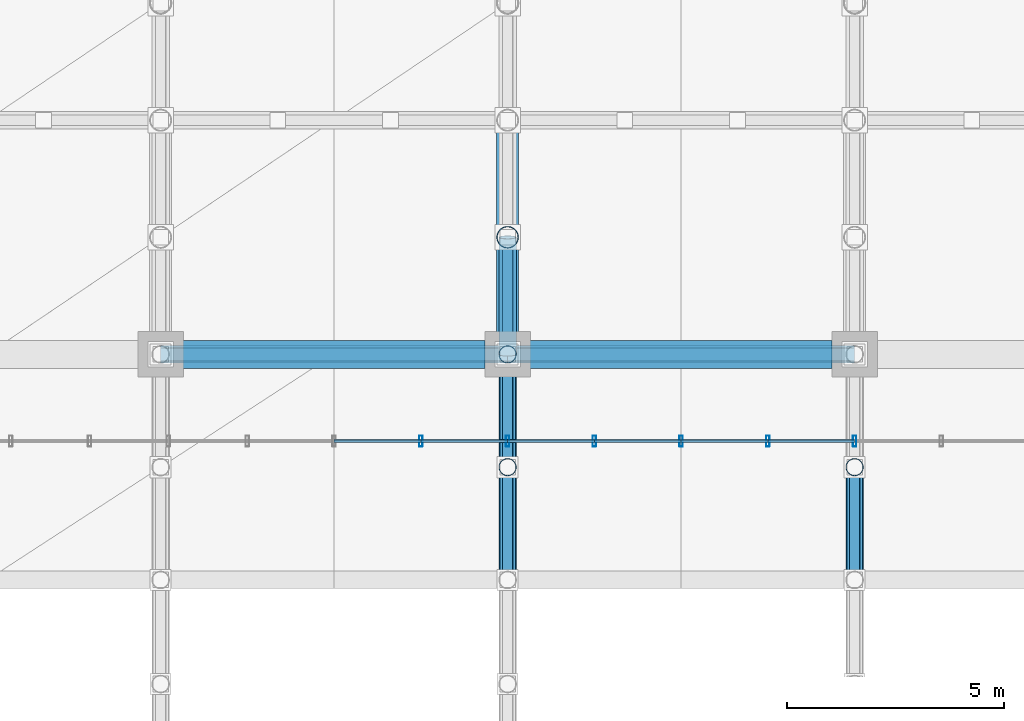
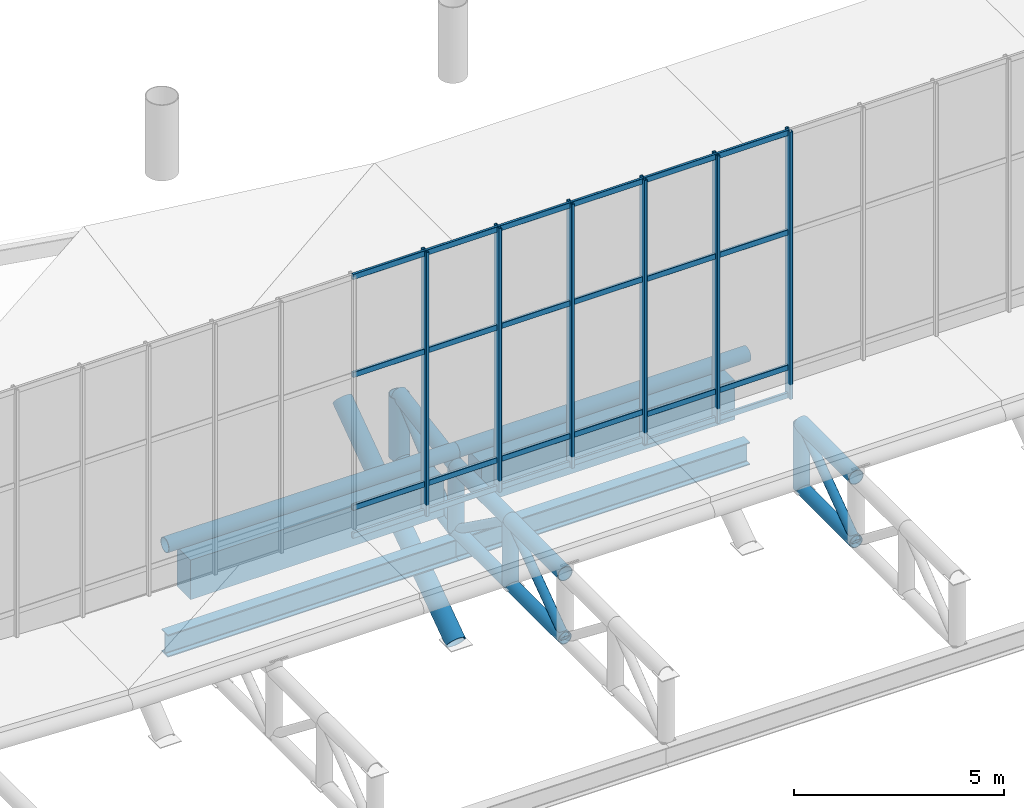
# One storey, part 49 of 137: 49 members, 4 beams, 2 elements without a shape of their own.
"""IFC4 building model written with IfcOpenShell, lengths in metres."""

from ifc_helpers import new_model, si_unit, direction, frame, origin, origin_2d, place, context, subcontext, project, spatial, rectangle, hollow_rectangle, hollow_circle, i_section, extrude, material, layer, layer_set, material_profile, profile_set, type_object, element, aggregate, save


model = new_model("IFC4")

# Units and contexts
model_context = context("Model", 3, precision=1e-05, world=origin(), true_north=direction((0.0, 1.0)))
body_context = subcontext(model_context, "Body", "Model", "MODEL_VIEW")
ifc_project = project(units=[si_unit("LENGTHUNIT", "METRE"), si_unit("AREAUNIT", "SQUARE_METRE"), si_unit("VOLUMEUNIT", "CUBIC_METRE"), si_unit("PLANEANGLEUNIT", "RADIAN"), si_unit("MASSUNIT", "GRAM", prefix="KILO")], contexts=[model_context])

# Site, building, storey
site_placement = place(None, origin())
site = spatial("IfcSite", under=ifc_project, at=site_placement, CompositionType="ELEMENT")
building_placement = place(site_placement, origin())
building = spatial("IfcBuilding", under=site, at=building_placement, Name="Khorjan Park Terminus", CompositionType="ELEMENT")
storey_placement = place(building_placement, frame((0.0, 0.0, 11.4)))
storey = spatial("IfcBuildingStorey", under=building, at=storey_placement, Name="L02", CompositionType="ELEMENT", Elevation=11.4)

# Members
ifc_material_1 = material(Name="Steel S355", Category="steel")
ifc_material_profile_1 = material_profile(ifc_material_1, hollow_circle(Radius=0.1222, WallThickness=0.0125, at=origin_2d()), Name="CHS 244.5x12.5")
ifc_profile_set_1 = profile_set([ifc_material_profile_1], Name="Steel S355")
member_type_1 = type_object("IfcMemberType", Name="MB-BR-245", PredefinedType="BRACE", material=ifc_profile_set_1)
for number, where, z_axis, x_axis, name in (
    (1, (80.0, 82.8, -1.92), (0.0, 0.811830357573, 0.583893372562), (-1.0, 0.0, 0.0), "Lower shell cantilever truss diagonal (5N)"),
    (2, (80.0, 85.4, -0.05), (0.0, 0.811830357573, -0.583893372562), (-1.0, 0.0, 0.0), "Lower shell cantilever truss diagonal (5N)"),
    (3, (88.0, 82.8, -1.92), (0.0, 0.811830357573, 0.583893372562), (-1.0, 0.0, 0.0), "Lower shell cantilever truss diagonal (6N)"),
):
    element("IfcMember", number, at=place(storey_placement, frame(where, z_axis=z_axis, x_axis=x_axis)), inside=storey, type_object=member_type_1, Name=name, PredefinedType="BRACE", context=body_context, shape_type="SweptSolid", body=[
        extrude(hollow_circle(Radius=0.1222, WallThickness=0.0125, at=origin_2d()), origin(), (0.0, 0.0, 1.0), 3.2026),
    ])
ifc_material_profile_2 = material_profile(ifc_material_1, hollow_circle(Radius=0.1222, WallThickness=0.0125, at=origin_2d()), Name="CHS 244.5x12.5")
ifc_profile_set_2 = profile_set([ifc_material_profile_2], Name="Steel S355")
member_type_2 = type_object("IfcMemberType", Name="MB-BRE-245", PredefinedType="BRACE", material=ifc_profile_set_2)
member_1_placement = place(storey_placement, frame((80.0, 88.0, -1.92), z_axis=(0.0, 0.759574242279, 0.650420610426), x_axis=(-1.0, 0.0, 0.0)))
element("IfcMember", 4, at=member_1_placement, inside=storey, type_object=member_type_2, Name="Lower shell cantilever truss diagonal (5N)", PredefinedType="BRACE", context=body_context, shape_type="SweptSolid", body=[
    extrude(hollow_circle(Radius=0.1222, WallThickness=0.0125, at=origin_2d()), origin(), (0.0, 0.0, 1.0), 3.5546),
])
ifc_material_profile_3 = material_profile(ifc_material_1, hollow_circle(Radius=0.1778, WallThickness=0.016, at=origin_2d()), Name="CHS 355.6x16")
ifc_profile_set_3 = profile_set([ifc_material_profile_3], Name="Steel S355")
member_type_3 = type_object("IfcMemberType", Name="MB-CH-356", PredefinedType="CHORD", material=ifc_profile_set_3)
for number, where, z_axis, x_axis, name in (
    (5, (80.0, 82.8, -1.92), (0.0, 1.0, 0.0), (-1.0, 0.0, 0.0), "Lower shell cantilever truss bottom chord (5N)"),
    (6, (80.0, 85.4, -1.92), (0.0, 1.0, 0.0), (-1.0, 0.0, 0.0), "Lower shell cantilever truss bottom chord (5N)"),
    (7, (88.0, 82.8, -1.92), (0.0, 1.0, 0.0), (-1.0, 0.0, 0.0), "Lower shell cantilever truss bottom chord (6N)"),
):
    element("IfcMember", number, at=place(storey_placement, frame(where, z_axis=z_axis, x_axis=x_axis)), inside=storey, type_object=member_type_3, Name=name, PredefinedType="CHORD", context=body_context, shape_type="SweptSolid", body=[
        extrude(hollow_circle(Radius=0.1778, WallThickness=0.016, at=origin_2d()), origin(), (0.0, 0.0, 1.0), 2.6),
    ])
ifc_material_profile_4 = material_profile(ifc_material_1, hollow_circle(Radius=0.2032, WallThickness=0.016, at=origin_2d()), Name="CHS 406.4x16")
ifc_profile_set_4 = profile_set([ifc_material_profile_4], Name="Steel S355")
member_type_4 = type_object("IfcMemberType", Name="MB-CH-406", PredefinedType="CHORD", material=ifc_profile_set_4)
for number, where, z_axis, x_axis, name in (
    (8, (80.0, 82.8, -0.05), (0.0, 1.0, 0.0), (-1.0, 0.0, 0.0), "Lower shell cantilever truss top chord (5N)"),
    (9, (80.0, 85.4, -0.05), (0.0, 1.0, 0.0), (-1.0, 0.0, 0.0), "Lower shell cantilever truss top chord (5N)"),
    (10, (88.0, 82.8, -0.05), (0.0, 1.0, 0.0), (-1.0, 0.0, 0.0), "Lower shell cantilever truss top chord (6N)"),
):
    element("IfcMember", number, at=place(storey_placement, frame(where, z_axis=z_axis, x_axis=x_axis)), inside=storey, type_object=member_type_4, Name=name, PredefinedType="CHORD", context=body_context, shape_type="SweptSolid", body=[
        extrude(hollow_circle(Radius=0.2032, WallThickness=0.016, at=origin_2d()), origin(), (0.0, 0.0, 1.0), 2.6),
    ])
ifc_material_profile_5 = material_profile(ifc_material_1, hollow_circle(Radius=0.2032, WallThickness=0.016, at=origin_2d()), Name="CHS 406.4x16")
ifc_profile_set_5 = profile_set([ifc_material_profile_5], Name="Steel S355")
member_type_5 = type_object("IfcMemberType", Name="MB-CHE-406", PredefinedType="CHORD", material=ifc_profile_set_5)
member_2_placement = place(storey_placement, frame((72.0, 88.0, 0.4308), z_axis=(0.999988238957, 0.0, -0.004849942959), x_axis=(0.0, 1.0, 0.0)))
element("IfcMember", 11, at=member_2_placement, inside=storey, type_object=member_type_5, Name="Lower wrapping shell rim chord (110)", PredefinedType="CHORD", context=body_context, shape_type="SweptSolid", body=[
    extrude(hollow_circle(Radius=0.2032, WallThickness=0.016, at=origin_2d()), origin(), (0.0, 0.0, 1.0), 8.0001),
])
member_3_placement = place(storey_placement, frame((80.0, 88.0, 0.392), z_axis=(1.0, 0.0, 0.0), x_axis=(0.0, 1.0, 0.0)))
element("IfcMember", 12, at=member_3_placement, inside=storey, type_object=member_type_5, Name="Lower wrapping shell rim chord (111)", PredefinedType="CHORD", context=body_context, shape_type="SweptSolid", body=[
    extrude(hollow_circle(Radius=0.2032, WallThickness=0.016, at=origin_2d()), origin(), (0.0, 0.0, 1.0), 8.0),
])
member_4_placement = place(storey_placement, frame((80.0, 88.0, -0.05), z_axis=(0.0, 0.986863989833, 0.161553290188), x_axis=(-1.0, 0.0, 0.0)))
element("IfcMember", 13, at=member_4_placement, inside=storey, type_object=member_type_5, Name="Lower shell cantilever truss top chord (5N)", PredefinedType="CHORD", context=body_context, shape_type="SweptSolid", body=[
    extrude(hollow_circle(Radius=0.2032, WallThickness=0.016, at=origin_2d()), origin(), (0.0, 0.0, 1.0), 2.7359),
])
member_5_placement = place(storey_placement, frame((80.0, 88.0, -1.92), z_axis=(0.0, 0.98249111826, 0.18630942687), x_axis=(-1.0, 0.0, 0.0)))
element("IfcMember", 14, at=member_5_placement, inside=storey, type_object=member_type_5, Name="Lower shell cantilever truss bottom chord (5N)", PredefinedType="CHORD", context=body_context, shape_type="SweptSolid", body=[
    extrude(hollow_circle(Radius=0.2032, WallThickness=0.016, at=origin_2d()), origin(), (0.0, 0.0, 1.0), 2.7481),
])
ifc_material_profile_6 = material_profile(ifc_material_1, hollow_circle(Radius=0.2032, WallThickness=0.016, at=origin_2d()), Name="CHS 406.4x16")
ifc_profile_set_6 = profile_set([ifc_material_profile_6], Name="Steel S355")
member_type_6 = type_object("IfcMemberType", Name="MB-ST-406", PredefinedType="STRUT", material=ifc_profile_set_6)
for number, where, z_axis, x_axis, name in (
    (15, (80.0, 85.4, -1.92), (0.0, 0.0, 1.0), (1.0, 0.0, 0.0), "Lower shell cantilever truss post (5N)"),
    (16, (80.0, 88.0, -1.92), (0.0, 0.0, 1.0), (1.0, 0.0, 0.0), "Lower shell cantilever truss post (5N)"),
    (17, (88.0, 85.4, -1.92), (0.0, 0.0, 1.0), (1.0, 0.0, 0.0), "Lower shell cantilever truss post (6N)"),
):
    element("IfcMember", number, at=place(storey_placement, frame(where, z_axis=z_axis, x_axis=x_axis)), inside=storey, type_object=member_type_6, Name=name, PredefinedType="STRUT", context=body_context, shape_type="SweptSolid", body=[
        extrude(hollow_circle(Radius=0.2032, WallThickness=0.016, at=origin_2d()), origin(), (0.0, 0.0, 1.0), 1.87),
    ])
ifc_material_profile_7 = material_profile(ifc_material_1, hollow_circle(Radius=0.254, WallThickness=0.02, at=origin_2d()), Name="CHS 508x20")
ifc_profile_set_7 = profile_set([ifc_material_profile_7], Name="Steel S355")
member_type_7 = type_object("IfcMemberType", Name="MB-STE-508", PredefinedType="STRUT", material=ifc_profile_set_7)
member_6_placement = place(storey_placement, frame((80.0, 90.7, -1.408), z_axis=(0.0, 0.0, 1.0), x_axis=(1.0, 0.0, 0.0)))
element("IfcMember", 18, at=member_6_placement, inside=storey, type_object=member_type_7, Name="Lower shell cantilever truss post (5N)", PredefinedType="STRUT", context=body_context, shape_type="SweptSolid", body=[
    extrude(hollow_circle(Radius=0.254, WallThickness=0.02, at=origin_2d()), origin(), (0.0, 0.0, 1.0), 1.8),
])
member_7_placement = place(storey_placement, frame((80.0, 88.0, -5.2), z_axis=(0.0, 0.818376628533, 0.574682254703), x_axis=(-1.0, 0.0, 0.0)))
element("IfcMember", 19, at=member_7_placement, inside=storey, type_object=member_type_7, Name="Lower shell raked overhang V-strut STE-51 (5N)", PredefinedType="STRUT", context=body_context, shape_type="SweptSolid", body=[
    extrude(hollow_circle(Radius=0.254, WallThickness=0.02, at=origin_2d()), origin(), (0.0, 0.0, 1.0), 6.5984),
])

# Curtain wall, members
ifc_material_2 = material(Name="Anodized Bronze Aluminium", Category="aluminium")
ifc_layer = layer(ifc_material_2, 0.22)
ifc_layer_set = layer_set([ifc_layer], Name="Anodized Bronze Aluminium")
curtain_wall_type = type_object("IfcCurtainWallType", Name="CW-CONC-CLR", PredefinedType="NOTDEFINED", material=ifc_layer_set)
curtain_wall_1_placement = place(storey_placement, origin())
curtain_wall_1 = element("IfcCurtainWall", 20, at=curtain_wall_1_placement, inside=storey, type_object=curtain_wall_type, Name="Unitized curtain wall CW-CL (CW-V2-N-CLR-03)", PredefinedType="NOTDEFINED")
ifc_material_profile_8 = material_profile(ifc_material_2, hollow_rectangle(XDim=0.08, YDim=0.25, WallThickness=0.005, InnerFilletRadius=0.005, OuterFilletRadius=0.01, at=origin_2d()), Name="ALM 80x250x5")
ifc_profile_set_8 = profile_set([ifc_material_profile_8], Name="Anodized Bronze Aluminium")
member_type_8 = type_object("IfcMemberType", Name="ML-ALM-250", PredefinedType="MULLION", material=ifc_profile_set_8)
member_8_placement = place(storey_placement, frame((84.0, 86.0, 0.45), z_axis=(0.0, 0.0, 1.0), x_axis=(-1.0, 0.0, 0.0)))
member_8 = element("IfcMember", 21, at=member_8_placement, type_object=member_type_8, Name="Curtain-wall mullion ML-25 (CW-V2-N-CLR-03-0)", PredefinedType="MULLION", context=body_context, shape_type="SweptSolid", body=[
    extrude(hollow_rectangle(XDim=0.08, YDim=0.25, WallThickness=0.005, InnerFilletRadius=0.005, OuterFilletRadius=0.01, at=origin_2d()), origin(), (0.0, 0.0, 1.0), 7.6669),
])
member_9_placement = place(storey_placement, frame((82.0, 86.0, 0.45), z_axis=(0.0, 0.0, 1.0), x_axis=(-1.0, 0.0, 0.0)))
member_9 = element("IfcMember", 22, at=member_9_placement, type_object=member_type_8, Name="Curtain-wall mullion ML-25 (CW-V2-N-CLR-03-1)", PredefinedType="MULLION", context=body_context, shape_type="SweptSolid", body=[
    extrude(hollow_rectangle(XDim=0.08, YDim=0.25, WallThickness=0.005, InnerFilletRadius=0.005, OuterFilletRadius=0.01, at=origin_2d()), origin(), (0.0, 0.0, 1.0), 7.6669),
])
member_10_placement = place(storey_placement, frame((80.0, 86.0, 0.45), z_axis=(0.0, 0.0, 1.0), x_axis=(-1.0, 0.0, 0.0)))
member_10 = element("IfcMember", 23, at=member_10_placement, type_object=member_type_8, Name="Curtain-wall mullion ML-25 (CW-V2-N-CLR-03-2)", PredefinedType="MULLION", context=body_context, shape_type="SweptSolid", body=[
    extrude(hollow_rectangle(XDim=0.08, YDim=0.25, WallThickness=0.005, InnerFilletRadius=0.005, OuterFilletRadius=0.01, at=origin_2d()), origin(), (0.0, 0.0, 1.0), 7.6669),
])
member_11_placement = place(storey_placement, frame((78.0, 86.0, 0.45), z_axis=(0.0, 0.0, 1.0), x_axis=(-1.0, 0.0, 0.0)))
member_11 = element("IfcMember", 24, at=member_11_placement, type_object=member_type_8, Name="Curtain-wall mullion ML-25 (CW-V2-N-CLR-03-3)", PredefinedType="MULLION", context=body_context, shape_type="SweptSolid", body=[
    extrude(hollow_rectangle(XDim=0.08, YDim=0.25, WallThickness=0.005, InnerFilletRadius=0.005, OuterFilletRadius=0.01, at=origin_2d()), origin(), (0.0, 0.0, 1.0), 7.6669),
])

curtain_wall_2_placement = place(storey_placement, origin())
curtain_wall_2 = element("IfcCurtainWall", 25, at=curtain_wall_2_placement, inside=storey, type_object=curtain_wall_type, Name="Unitized curtain wall CW-CL (CW-V2-N-CLR-04)", PredefinedType="NOTDEFINED")
member_12_placement = place(storey_placement, frame((88.0, 86.0, 0.345), z_axis=(0.0, 0.0, 1.0), x_axis=(-1.0, 0.0, 0.0)))
member_12 = element("IfcMember", 26, at=member_12_placement, type_object=member_type_8, Name="Curtain-wall mullion ML-25 (CW-V2-N-CLR-04-2)", PredefinedType="MULLION", context=body_context, shape_type="SweptSolid", body=[
    extrude(hollow_rectangle(XDim=0.08, YDim=0.25, WallThickness=0.005, InnerFilletRadius=0.005, OuterFilletRadius=0.01, at=origin_2d()), origin(), (0.0, 0.0, 1.0), 7.7782),
])
member_13_placement = place(storey_placement, frame((86.0, 86.0, 0.345), z_axis=(0.0, 0.0, 1.0), x_axis=(-1.0, 0.0, 0.0)))
member_13 = element("IfcMember", 27, at=member_13_placement, type_object=member_type_8, Name="Curtain-wall mullion ML-25 (CW-V2-N-CLR-04-3)", PredefinedType="MULLION", context=body_context, shape_type="SweptSolid", body=[
    extrude(hollow_rectangle(XDim=0.08, YDim=0.25, WallThickness=0.005, InnerFilletRadius=0.005, OuterFilletRadius=0.01, at=origin_2d()), origin(), (0.0, 0.0, 1.0), 7.7782),
])

# Beams
ifc_material_profile_9 = material_profile(ifc_material_1, i_section(OverallWidth=0.3, OverallDepth=0.65, WebThickness=0.016, FlangeThickness=0.031, FilletRadius=0.027, at=origin_2d()), Name="HEB 650")
ifc_profile_set_9 = profile_set([ifc_material_profile_9], Name="Steel S355")
beam_type_1 = type_object("IfcBeamType", Name="SP-HEB650E", PredefinedType="SPANDREL", material=ifc_profile_set_9)
for number, where, z_axis, x_axis, name in (
    (28, (72.0, 88.0, -2.425), (1.0, 0.0, 0.0), (0.0, 1.0, 0.0), "Lower shell truss support girder SP-E65 (X15)"),
    (29, (80.0, 88.0, -2.425), (1.0, 0.0, 0.0), (0.0, 1.0, 0.0), "Lower shell truss support girder SP-E65 (X16)"),
):
    element("IfcBeam", number, at=place(storey_placement, frame(where, z_axis=z_axis, x_axis=x_axis)), inside=storey, type_object=beam_type_1, Name=name, PredefinedType="SPANDREL", context=body_context, shape_type="SweptSolid", body=[
        extrude(i_section(OverallWidth=0.3, OverallDepth=0.65, WebThickness=0.016, FlangeThickness=0.031, FilletRadius=0.027, at=origin_2d()), origin(), (0.0, 0.0, 1.0), 8.0),
    ])
ifc_material_3 = material(Name="Concrete C50/60", Category="concrete")
ifc_material_profile_10 = material_profile(ifc_material_3, rectangle(XDim=0.65, YDim=1.15, at=origin_2d()), Name="RC 650x1150")
ifc_profile_set_10 = profile_set([ifc_material_profile_10], Name="Concrete C50/60")
beam_type_2 = type_object("IfcBeamType", Name="SP-RC650x1150", PredefinedType="SPANDREL", material=ifc_profile_set_10)
for number, where, z_axis, x_axis, name in (
    (30, (72.52, 88.0, -0.575), (1.0, 0.0, 0.0), (0.0, 1.0, 0.0), "Concourse lower colonnade ring beam SP-11 (L02-44)"),
    (31, (80.52, 88.0, -0.575), (1.0, 0.0, 0.0), (0.0, 1.0, 0.0), "Concourse lower colonnade ring beam SP-11 (L02-46)"),
):
    element("IfcBeam", number, at=place(storey_placement, frame(where, z_axis=z_axis, x_axis=x_axis)), inside=storey, type_object=beam_type_2, Name=name, PredefinedType="SPANDREL", context=body_context, shape_type="SweptSolid", body=[
        extrude(rectangle(XDim=0.65, YDim=1.15, at=origin_2d()), origin(), (0.0, 0.0, 1.0), 6.96),
    ])

# Member
ifc_material_profile_11 = material_profile(ifc_material_2, hollow_rectangle(XDim=0.07, YDim=0.16, WallThickness=0.004, InnerFilletRadius=0.004, OuterFilletRadius=0.008, at=origin_2d()), Name="ALT 70x160x4")
ifc_profile_set_11 = profile_set([ifc_material_profile_11], Name="Anodized Bronze Aluminium")
member_type_9 = type_object("IfcMemberType", Name="TR-ALT-160", PredefinedType="USERDEFINED", material=ifc_profile_set_11)
member_14_placement = place(storey_placement, frame((84.0, 86.0, 0.525), z_axis=(-1.0, 0.0, 0.0), x_axis=(0.0, -1.0, 0.0)))
member_14 = element("IfcMember", 32, at=member_14_placement, type_object=member_type_9, Name="Curtain-wall transom TR-16 (CW-V2-N-CLR-03-0-1)", ObjectType="TRANSOM", PredefinedType="USERDEFINED", context=body_context, shape_type="SweptSolid", body=[
    extrude(hollow_rectangle(XDim=0.07, YDim=0.16, WallThickness=0.004, InnerFilletRadius=0.004, OuterFilletRadius=0.008, at=origin_2d()), origin(), (0.0, 0.0, 1.0), 2.0),
])

member_15_placement = place(storey_placement, frame((84.0, 86.0, 1.335), z_axis=(-1.0, 0.0, 0.0), x_axis=(0.0, -1.0, 0.0)))
member_15 = element("IfcMember", 33, at=member_15_placement, type_object=member_type_9, Name="Curtain-wall transom TR-16 (CW-V2-N-CLR-03-0-2)", ObjectType="TRANSOM", PredefinedType="USERDEFINED", context=body_context, shape_type="SweptSolid", body=[
    extrude(hollow_rectangle(XDim=0.07, YDim=0.16, WallThickness=0.004, InnerFilletRadius=0.004, OuterFilletRadius=0.008, at=origin_2d()), origin(), (0.0, 0.0, 1.0), 2.0),
])

member_16_placement = place(storey_placement, frame((84.0, 86.0, 5.1951), z_axis=(-1.0, 0.0, 0.0), x_axis=(0.0, -1.0, 0.0)))
member_16 = element("IfcMember", 34, at=member_16_placement, type_object=member_type_9, Name="Curtain-wall transom TR-16 (CW-V2-N-CLR-03-0-3)", ObjectType="TRANSOM", PredefinedType="USERDEFINED", context=body_context, shape_type="SweptSolid", body=[
    extrude(hollow_rectangle(XDim=0.07, YDim=0.16, WallThickness=0.004, InnerFilletRadius=0.004, OuterFilletRadius=0.008, at=origin_2d()), origin(), (0.0, 0.0, 1.0), 2.0),
])

member_17_placement = place(storey_placement, frame((84.0, 86.0, 8.0419), z_axis=(-1.0, 0.0, 0.0), x_axis=(0.0, -1.0, 0.0)))
member_17 = element("IfcMember", 35, at=member_17_placement, type_object=member_type_9, Name="Curtain-wall transom TR-16 (CW-V2-N-CLR-03-0-4)", ObjectType="TRANSOM", PredefinedType="USERDEFINED", context=body_context, shape_type="SweptSolid", body=[
    extrude(hollow_rectangle(XDim=0.07, YDim=0.16, WallThickness=0.004, InnerFilletRadius=0.004, OuterFilletRadius=0.008, at=origin_2d()), origin(), (0.0, 0.0, 1.0), 2.0),
])

member_18_placement = place(storey_placement, frame((82.0, 86.0, 0.525), z_axis=(-1.0, 0.0, 0.0), x_axis=(0.0, -1.0, 0.0)))
member_18 = element("IfcMember", 36, at=member_18_placement, type_object=member_type_9, Name="Curtain-wall transom TR-16 (CW-V2-N-CLR-03-1-1)", ObjectType="TRANSOM", PredefinedType="USERDEFINED", context=body_context, shape_type="SweptSolid", body=[
    extrude(hollow_rectangle(XDim=0.07, YDim=0.16, WallThickness=0.004, InnerFilletRadius=0.004, OuterFilletRadius=0.008, at=origin_2d()), origin(), (0.0, 0.0, 1.0), 2.0),
])

member_19_placement = place(storey_placement, frame((82.0, 86.0, 1.335), z_axis=(-1.0, 0.0, 0.0), x_axis=(0.0, -1.0, 0.0)))
member_19 = element("IfcMember", 37, at=member_19_placement, type_object=member_type_9, Name="Curtain-wall transom TR-16 (CW-V2-N-CLR-03-1-2)", ObjectType="TRANSOM", PredefinedType="USERDEFINED", context=body_context, shape_type="SweptSolid", body=[
    extrude(hollow_rectangle(XDim=0.07, YDim=0.16, WallThickness=0.004, InnerFilletRadius=0.004, OuterFilletRadius=0.008, at=origin_2d()), origin(), (0.0, 0.0, 1.0), 2.0),
])

member_20_placement = place(storey_placement, frame((82.0, 86.0, 5.1951), z_axis=(-1.0, 0.0, 0.0), x_axis=(0.0, -1.0, 0.0)))
member_20 = element("IfcMember", 38, at=member_20_placement, type_object=member_type_9, Name="Curtain-wall transom TR-16 (CW-V2-N-CLR-03-1-3)", ObjectType="TRANSOM", PredefinedType="USERDEFINED", context=body_context, shape_type="SweptSolid", body=[
    extrude(hollow_rectangle(XDim=0.07, YDim=0.16, WallThickness=0.004, InnerFilletRadius=0.004, OuterFilletRadius=0.008, at=origin_2d()), origin(), (0.0, 0.0, 1.0), 2.0),
])

member_21_placement = place(storey_placement, frame((82.0, 86.0, 8.0419), z_axis=(-1.0, 0.0, 0.0), x_axis=(0.0, -1.0, 0.0)))
member_21 = element("IfcMember", 39, at=member_21_placement, type_object=member_type_9, Name="Curtain-wall transom TR-16 (CW-V2-N-CLR-03-1-4)", ObjectType="TRANSOM", PredefinedType="USERDEFINED", context=body_context, shape_type="SweptSolid", body=[
    extrude(hollow_rectangle(XDim=0.07, YDim=0.16, WallThickness=0.004, InnerFilletRadius=0.004, OuterFilletRadius=0.008, at=origin_2d()), origin(), (0.0, 0.0, 1.0), 2.0),
])

member_22_placement = place(storey_placement, frame((80.0, 86.0, 0.525), z_axis=(-1.0, 0.0, 0.0), x_axis=(0.0, -1.0, 0.0)))
member_22 = element("IfcMember", 40, at=member_22_placement, type_object=member_type_9, Name="Curtain-wall transom TR-16 (CW-V2-N-CLR-03-2-1)", ObjectType="TRANSOM", PredefinedType="USERDEFINED", context=body_context, shape_type="SweptSolid", body=[
    extrude(hollow_rectangle(XDim=0.07, YDim=0.16, WallThickness=0.004, InnerFilletRadius=0.004, OuterFilletRadius=0.008, at=origin_2d()), origin(), (0.0, 0.0, 1.0), 2.0),
])

member_23_placement = place(storey_placement, frame((80.0, 86.0, 1.335), z_axis=(-1.0, 0.0, 0.0), x_axis=(0.0, -1.0, 0.0)))
member_23 = element("IfcMember", 41, at=member_23_placement, type_object=member_type_9, Name="Curtain-wall transom TR-16 (CW-V2-N-CLR-03-2-2)", ObjectType="TRANSOM", PredefinedType="USERDEFINED", context=body_context, shape_type="SweptSolid", body=[
    extrude(hollow_rectangle(XDim=0.07, YDim=0.16, WallThickness=0.004, InnerFilletRadius=0.004, OuterFilletRadius=0.008, at=origin_2d()), origin(), (0.0, 0.0, 1.0), 2.0),
])

member_24_placement = place(storey_placement, frame((80.0, 86.0, 5.1951), z_axis=(-1.0, 0.0, 0.0), x_axis=(0.0, -1.0, 0.0)))
member_24 = element("IfcMember", 42, at=member_24_placement, type_object=member_type_9, Name="Curtain-wall transom TR-16 (CW-V2-N-CLR-03-2-3)", ObjectType="TRANSOM", PredefinedType="USERDEFINED", context=body_context, shape_type="SweptSolid", body=[
    extrude(hollow_rectangle(XDim=0.07, YDim=0.16, WallThickness=0.004, InnerFilletRadius=0.004, OuterFilletRadius=0.008, at=origin_2d()), origin(), (0.0, 0.0, 1.0), 2.0),
])

member_25_placement = place(storey_placement, frame((80.0, 86.0, 8.0419), z_axis=(-1.0, 0.0, 0.0), x_axis=(0.0, -1.0, 0.0)))
member_25 = element("IfcMember", 43, at=member_25_placement, type_object=member_type_9, Name="Curtain-wall transom TR-16 (CW-V2-N-CLR-03-2-4)", ObjectType="TRANSOM", PredefinedType="USERDEFINED", context=body_context, shape_type="SweptSolid", body=[
    extrude(hollow_rectangle(XDim=0.07, YDim=0.16, WallThickness=0.004, InnerFilletRadius=0.004, OuterFilletRadius=0.008, at=origin_2d()), origin(), (0.0, 0.0, 1.0), 2.0),
])

member_26_placement = place(storey_placement, frame((78.0, 86.0, 0.525), z_axis=(-1.0, 0.0, 0.0), x_axis=(0.0, -1.0, 0.0)))
member_26 = element("IfcMember", 44, at=member_26_placement, type_object=member_type_9, Name="Curtain-wall transom TR-16 (CW-V2-N-CLR-03-3-1)", ObjectType="TRANSOM", PredefinedType="USERDEFINED", context=body_context, shape_type="SweptSolid", body=[
    extrude(hollow_rectangle(XDim=0.07, YDim=0.16, WallThickness=0.004, InnerFilletRadius=0.004, OuterFilletRadius=0.008, at=origin_2d()), origin(), (0.0, 0.0, 1.0), 2.0),
])

member_27_placement = place(storey_placement, frame((78.0, 86.0, 1.335), z_axis=(-1.0, 0.0, 0.0), x_axis=(0.0, -1.0, 0.0)))
member_27 = element("IfcMember", 45, at=member_27_placement, type_object=member_type_9, Name="Curtain-wall transom TR-16 (CW-V2-N-CLR-03-3-2)", ObjectType="TRANSOM", PredefinedType="USERDEFINED", context=body_context, shape_type="SweptSolid", body=[
    extrude(hollow_rectangle(XDim=0.07, YDim=0.16, WallThickness=0.004, InnerFilletRadius=0.004, OuterFilletRadius=0.008, at=origin_2d()), origin(), (0.0, 0.0, 1.0), 2.0),
])

member_28_placement = place(storey_placement, frame((78.0, 86.0, 5.1951), z_axis=(-1.0, 0.0, 0.0), x_axis=(0.0, -1.0, 0.0)))
member_28 = element("IfcMember", 46, at=member_28_placement, type_object=member_type_9, Name="Curtain-wall transom TR-16 (CW-V2-N-CLR-03-3-3)", ObjectType="TRANSOM", PredefinedType="USERDEFINED", context=body_context, shape_type="SweptSolid", body=[
    extrude(hollow_rectangle(XDim=0.07, YDim=0.16, WallThickness=0.004, InnerFilletRadius=0.004, OuterFilletRadius=0.008, at=origin_2d()), origin(), (0.0, 0.0, 1.0), 2.0),
])

member_29_placement = place(storey_placement, frame((78.0, 86.0, 8.0419), z_axis=(-1.0, 0.0, 0.0), x_axis=(0.0, -1.0, 0.0)))
member_29 = element("IfcMember", 47, at=member_29_placement, type_object=member_type_9, Name="Curtain-wall transom TR-16 (CW-V2-N-CLR-03-3-4)", ObjectType="TRANSOM", PredefinedType="USERDEFINED", context=body_context, shape_type="SweptSolid", body=[
    extrude(hollow_rectangle(XDim=0.07, YDim=0.16, WallThickness=0.004, InnerFilletRadius=0.004, OuterFilletRadius=0.008, at=origin_2d()), origin(), (0.0, 0.0, 1.0), 2.0),
])

aggregate(curtain_wall_1, [member_8, member_9, member_10, member_11, member_14, member_15, member_16, member_17, member_18, member_19, member_20, member_21, member_22, member_23, member_24, member_25, member_26, member_27, member_28, member_29])

member_30_placement = place(storey_placement, frame((88.0, 86.0, 0.42), z_axis=(-1.0, 0.0, 0.0), x_axis=(0.0, -1.0, 0.0)))
member_30 = element("IfcMember", 48, at=member_30_placement, type_object=member_type_9, Name="Curtain-wall transom TR-16 (CW-V2-N-CLR-04-2-1)", ObjectType="TRANSOM", PredefinedType="USERDEFINED", context=body_context, shape_type="SweptSolid", body=[
    extrude(hollow_rectangle(XDim=0.07, YDim=0.16, WallThickness=0.004, InnerFilletRadius=0.004, OuterFilletRadius=0.008, at=origin_2d()), origin(), (0.0, 0.0, 1.0), 2.0),
])

member_31_placement = place(storey_placement, frame((88.0, 86.0, 1.23), z_axis=(-1.0, 0.0, 0.0), x_axis=(0.0, -1.0, 0.0)))
member_31 = element("IfcMember", 49, at=member_31_placement, type_object=member_type_9, Name="Curtain-wall transom TR-16 (CW-V2-N-CLR-04-2-2)", ObjectType="TRANSOM", PredefinedType="USERDEFINED", context=body_context, shape_type="SweptSolid", body=[
    extrude(hollow_rectangle(XDim=0.07, YDim=0.16, WallThickness=0.004, InnerFilletRadius=0.004, OuterFilletRadius=0.008, at=origin_2d()), origin(), (0.0, 0.0, 1.0), 2.0),
])

member_32_placement = place(storey_placement, frame((88.0, 86.0, 5.1591), z_axis=(-1.0, 0.0, 0.0), x_axis=(0.0, -1.0, 0.0)))
member_32 = element("IfcMember", 50, at=member_32_placement, type_object=member_type_9, Name="Curtain-wall transom TR-16 (CW-V2-N-CLR-04-2-3)", ObjectType="TRANSOM", PredefinedType="USERDEFINED", context=body_context, shape_type="SweptSolid", body=[
    extrude(hollow_rectangle(XDim=0.07, YDim=0.16, WallThickness=0.004, InnerFilletRadius=0.004, OuterFilletRadius=0.008, at=origin_2d()), origin(), (0.0, 0.0, 1.0), 2.0),
])

member_33_placement = place(storey_placement, frame((88.0, 86.0, 8.0482), z_axis=(-1.0, 0.0, 0.0), x_axis=(0.0, -1.0, 0.0)))
member_33 = element("IfcMember", 51, at=member_33_placement, type_object=member_type_9, Name="Curtain-wall transom TR-16 (CW-V2-N-CLR-04-2-4)", ObjectType="TRANSOM", PredefinedType="USERDEFINED", context=body_context, shape_type="SweptSolid", body=[
    extrude(hollow_rectangle(XDim=0.07, YDim=0.16, WallThickness=0.004, InnerFilletRadius=0.004, OuterFilletRadius=0.008, at=origin_2d()), origin(), (0.0, 0.0, 1.0), 2.0),
])

member_34_placement = place(storey_placement, frame((86.0, 86.0, 0.42), z_axis=(-1.0, 0.0, 0.0), x_axis=(0.0, -1.0, 0.0)))
member_34 = element("IfcMember", 52, at=member_34_placement, type_object=member_type_9, Name="Curtain-wall transom TR-16 (CW-V2-N-CLR-04-3-1)", ObjectType="TRANSOM", PredefinedType="USERDEFINED", context=body_context, shape_type="SweptSolid", body=[
    extrude(hollow_rectangle(XDim=0.07, YDim=0.16, WallThickness=0.004, InnerFilletRadius=0.004, OuterFilletRadius=0.008, at=origin_2d()), origin(), (0.0, 0.0, 1.0), 2.0),
])

member_35_placement = place(storey_placement, frame((86.0, 86.0, 1.23), z_axis=(-1.0, 0.0, 0.0), x_axis=(0.0, -1.0, 0.0)))
member_35 = element("IfcMember", 53, at=member_35_placement, type_object=member_type_9, Name="Curtain-wall transom TR-16 (CW-V2-N-CLR-04-3-2)", ObjectType="TRANSOM", PredefinedType="USERDEFINED", context=body_context, shape_type="SweptSolid", body=[
    extrude(hollow_rectangle(XDim=0.07, YDim=0.16, WallThickness=0.004, InnerFilletRadius=0.004, OuterFilletRadius=0.008, at=origin_2d()), origin(), (0.0, 0.0, 1.0), 2.0),
])

member_36_placement = place(storey_placement, frame((86.0, 86.0, 5.1591), z_axis=(-1.0, 0.0, 0.0), x_axis=(0.0, -1.0, 0.0)))
member_36 = element("IfcMember", 54, at=member_36_placement, type_object=member_type_9, Name="Curtain-wall transom TR-16 (CW-V2-N-CLR-04-3-3)", ObjectType="TRANSOM", PredefinedType="USERDEFINED", context=body_context, shape_type="SweptSolid", body=[
    extrude(hollow_rectangle(XDim=0.07, YDim=0.16, WallThickness=0.004, InnerFilletRadius=0.004, OuterFilletRadius=0.008, at=origin_2d()), origin(), (0.0, 0.0, 1.0), 2.0),
])

member_37_placement = place(storey_placement, frame((86.0, 86.0, 8.0482), z_axis=(-1.0, 0.0, 0.0), x_axis=(0.0, -1.0, 0.0)))
member_37 = element("IfcMember", 55, at=member_37_placement, type_object=member_type_9, Name="Curtain-wall transom TR-16 (CW-V2-N-CLR-04-3-4)", ObjectType="TRANSOM", PredefinedType="USERDEFINED", context=body_context, shape_type="SweptSolid", body=[
    extrude(hollow_rectangle(XDim=0.07, YDim=0.16, WallThickness=0.004, InnerFilletRadius=0.004, OuterFilletRadius=0.008, at=origin_2d()), origin(), (0.0, 0.0, 1.0), 2.0),
])

aggregate(curtain_wall_2, [member_12, member_13, member_30, member_31, member_32, member_33, member_34, member_35, member_36, member_37])

save(model, "model.ifc")
